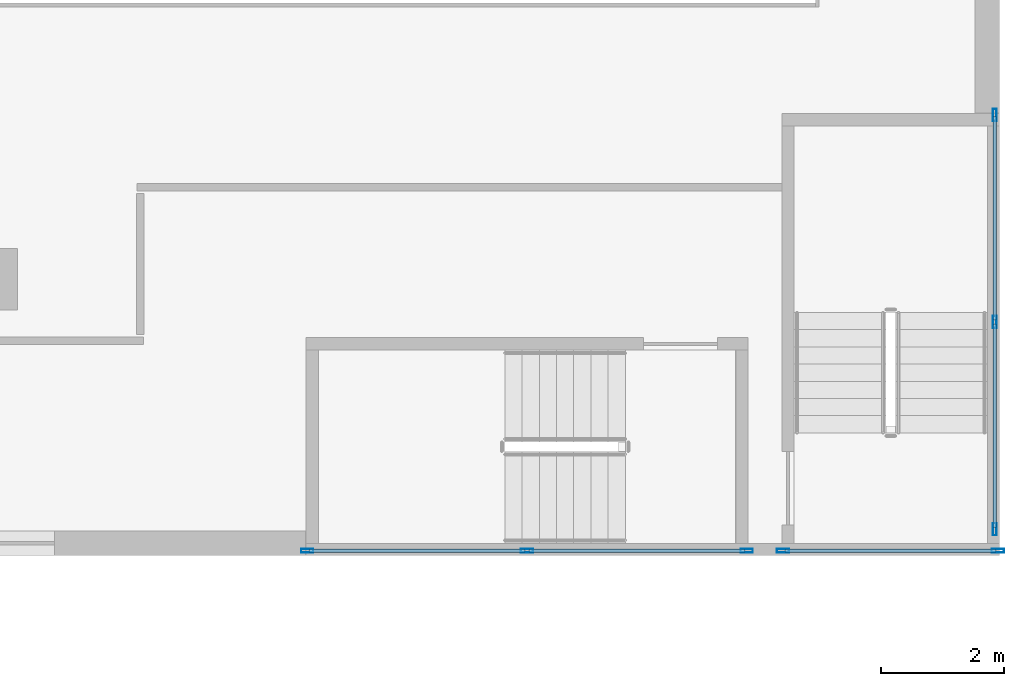
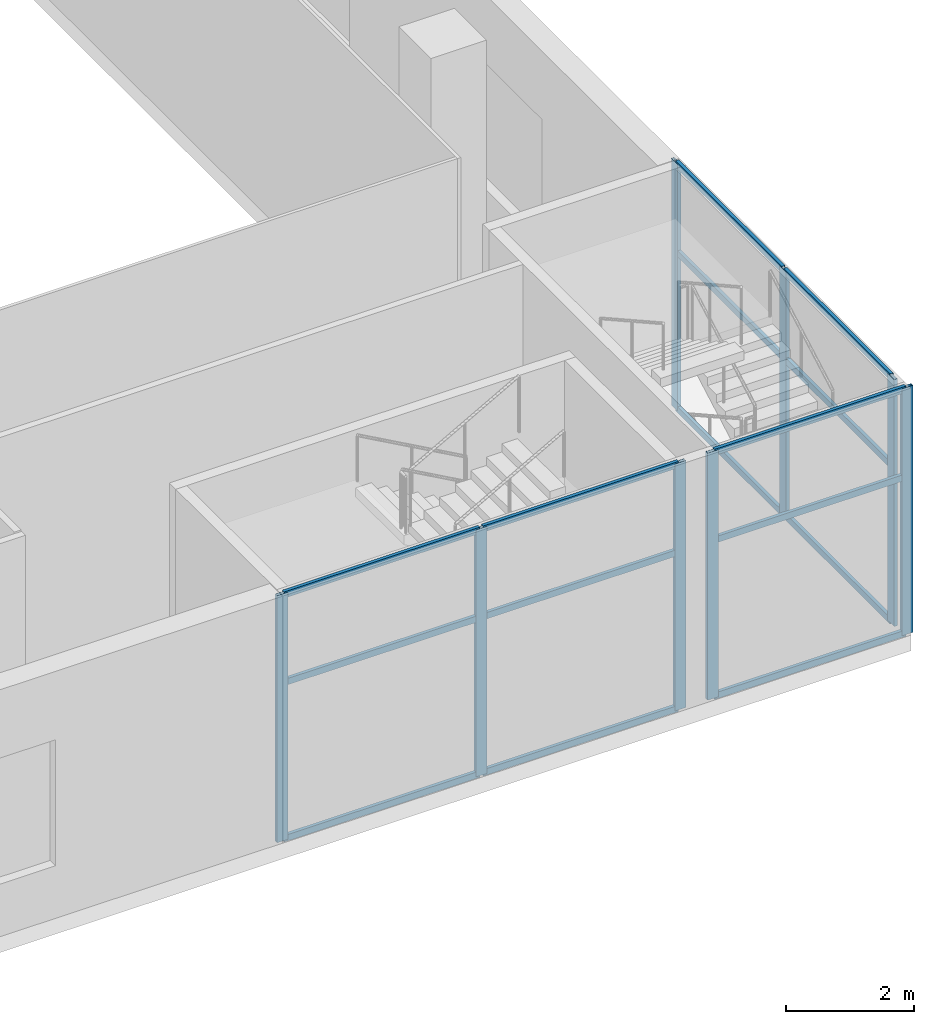
# One storey, part 6 of 22: 23 members, 3 elements without a shape of their own.
"""IFC4 building model written with IfcOpenShell, lengths in metres."""

from ifc_helpers import new_model, si_unit, direction, frame, origin, origin_2d, place, context, subcontext, project, spatial, hollow_rectangle, extrude, source, transform, mapped, material, material_profile, profile_set, type_object, element, aggregate, save


model = new_model("IFC4")

# Units and contexts
model_context = context("Model", 3, precision=1e-05, world=origin(), true_north=direction((0.0, 1.0)))
body_context = subcontext(model_context, "Body", "Model", "MODEL_VIEW")
ifc_project = project(units=[si_unit("LENGTHUNIT", "METRE"), si_unit("AREAUNIT", "SQUARE_METRE"), si_unit("VOLUMEUNIT", "CUBIC_METRE"), si_unit("PLANEANGLEUNIT", "RADIAN"), si_unit("MASSUNIT", "GRAM", prefix="KILO")], contexts=[model_context])

# Site, building, storey
site_placement = place(None, origin())
site = spatial("IfcSite", under=ifc_project, at=site_placement, CompositionType="ELEMENT")
building_placement = place(site_placement, origin())
building = spatial("IfcBuilding", under=site, at=building_placement, Name="Khomas Fold Tower", CompositionType="ELEMENT")
storey_placement = place(building_placement, frame((0.0, 0.0, 23.5)))
storey = spatial("IfcBuildingStorey", under=building, at=storey_placement, Name="L04", CompositionType="ELEMENT", Elevation=23.5)

# Curtain wall, members
ifc_material_1 = material(Name="Aluminium framed double glazing", Category="aluminium")
curtain_wall_type = type_object("IfcCurtainWallType", Name="Shopfront glazing PD-CW", PredefinedType="NOTDEFINED", material=ifc_material_1)
curtain_wall_1_placement = place(storey_placement, origin())
curtain_wall_1 = element("IfcCurtainWall", 1, at=curtain_wall_1_placement, inside=storey, type_object=curtain_wall_type, Name="Podium stair-tower glazing", PredefinedType="NOTDEFINED")
ifc_material_2 = material(Name="Aluminium", Category="aluminium")
ifc_material_profile_1 = material_profile(ifc_material_2, hollow_rectangle(XDim=0.06005859375, YDim=0.1201171875, WallThickness=0.00390625, at=origin_2d()), Name="Shopfront glazing transom PD-CW-T")
ifc_profile_set_1 = profile_set([ifc_material_profile_1], Name="Aluminium")
member_type_1 = type_object("IfcMemberType", Name="Shopfront glazing transom PD-CW-T", PredefinedType="USERDEFINED", material=ifc_profile_set_1)
shared_shape_1 = source(origin(), body_context, "Body", "SweptSolid", [
    extrude(hollow_rectangle(XDim=0.06005859375, YDim=0.1201171875, WallThickness=0.00390625, at=origin_2d()), origin(), (0.0, 0.0, 1.0), 3.52001953125),
])
member_1_placement = place(storey_placement, frame((69.75, 0.080078125, 0.030029296875), z_axis=(1.0, 0.0, 0.0), x_axis=(0.0, 1.0, 0.0)))
member_1 = element("IfcMember", 2, at=member_1_placement, type_object=member_type_1, Name="PD-CW transom 1.1", ObjectType="TRANSOM", PredefinedType="USERDEFINED", context=body_context, shape_type="MappedRepresentation", body=[
    mapped(shared_shape_1, transform((0.0, 0.0, 0.0))),
])
member_2_placement = place(storey_placement, frame((69.75, 0.080078125, 3.0), z_axis=(1.0, 0.0, 0.0), x_axis=(0.0, 1.0, 0.0)))
member_2 = element("IfcMember", 3, at=member_2_placement, type_object=member_type_1, Name="PD-CW transom 1.2", ObjectType="TRANSOM", PredefinedType="USERDEFINED", context=body_context, shape_type="MappedRepresentation", body=[
    mapped(shared_shape_1, transform((0.0, 0.0, 0.0))),
])
member_3_placement = place(storey_placement, frame((69.75, 0.080078125, 4.669921875), z_axis=(1.0, 0.0, 0.0), x_axis=(0.0, 1.0, 0.0)))
member_3 = element("IfcMember", 4, at=member_3_placement, type_object=member_type_1, Name="PD-CW transom 1.3", ObjectType="TRANSOM", PredefinedType="USERDEFINED", context=body_context, shape_type="MappedRepresentation", body=[
    mapped(shared_shape_1, transform((0.0, 0.0, 0.0))),
])
member_4_placement = place(storey_placement, frame((73.330078125, 0.080078125, 0.030029296875), z_axis=(1.0, 0.0, 0.0), x_axis=(0.0, 1.0, 0.0)))
member_4 = element("IfcMember", 5, at=member_4_placement, type_object=member_type_1, Name="PD-CW transom 2.1", ObjectType="TRANSOM", PredefinedType="USERDEFINED", context=body_context, shape_type="MappedRepresentation", body=[
    mapped(shared_shape_1, transform((0.0, 0.0, 0.0))),
])
member_5_placement = place(storey_placement, frame((73.330078125, 0.080078125, 3.0), z_axis=(1.0, 0.0, 0.0), x_axis=(0.0, 1.0, 0.0)))
member_5 = element("IfcMember", 6, at=member_5_placement, type_object=member_type_1, Name="PD-CW transom 2.2", ObjectType="TRANSOM", PredefinedType="USERDEFINED", context=body_context, shape_type="MappedRepresentation", body=[
    mapped(shared_shape_1, transform((0.0, 0.0, 0.0))),
])
member_6_placement = place(storey_placement, frame((73.330078125, 0.080078125, 4.669921875), z_axis=(1.0, 0.0, 0.0), x_axis=(0.0, 1.0, 0.0)))
member_6 = element("IfcMember", 7, at=member_6_placement, type_object=member_type_1, Name="PD-CW transom 2.3", ObjectType="TRANSOM", PredefinedType="USERDEFINED", context=body_context, shape_type="MappedRepresentation", body=[
    mapped(shared_shape_1, transform((0.0, 0.0, 0.0))),
])

curtain_wall_2_placement = place(storey_placement, origin())
curtain_wall_2 = element("IfcCurtainWall", 8, at=curtain_wall_2_placement, inside=storey, type_object=curtain_wall_type, Name="Podium stair-tower glazing", PredefinedType="NOTDEFINED")
shared_shape_2 = source(origin(), body_context, "Body", "SweptSolid", [
    extrude(hollow_rectangle(XDim=0.06005859375, YDim=0.1201171875, WallThickness=0.00390625, at=origin_2d()), origin(), (0.0, 0.0, 1.0), 3.43994140625),
])
member_7_placement = place(storey_placement, frame((77.5, 0.080078125, 0.030029296875), z_axis=(1.0, 0.0, 0.0), x_axis=(0.0, 1.0, 0.0)))
member_7 = element("IfcMember", 9, at=member_7_placement, type_object=member_type_1, Name="PD-CW transom 1.1", ObjectType="TRANSOM", PredefinedType="USERDEFINED", context=body_context, shape_type="MappedRepresentation", body=[
    mapped(shared_shape_2, transform((0.0, 0.0, 0.0))),
])
member_8_placement = place(storey_placement, frame((77.5, 0.080078125, 3.0), z_axis=(1.0, 0.0, 0.0), x_axis=(0.0, 1.0, 0.0)))
member_8 = element("IfcMember", 10, at=member_8_placement, type_object=member_type_1, Name="PD-CW transom 1.2", ObjectType="TRANSOM", PredefinedType="USERDEFINED", context=body_context, shape_type="MappedRepresentation", body=[
    mapped(shared_shape_2, transform((0.0, 0.0, 0.0))),
])
member_9_placement = place(storey_placement, frame((77.5, 0.080078125, 4.669921875), z_axis=(1.0, 0.0, 0.0), x_axis=(0.0, 1.0, 0.0)))
member_9 = element("IfcMember", 11, at=member_9_placement, type_object=member_type_1, Name="PD-CW transom 1.3", ObjectType="TRANSOM", PredefinedType="USERDEFINED", context=body_context, shape_type="MappedRepresentation", body=[
    mapped(shared_shape_2, transform((0.0, 0.0, 0.0))),
])

curtain_wall_3_placement = place(storey_placement, origin())
curtain_wall_3 = element("IfcCurtainWall", 12, at=curtain_wall_3_placement, inside=storey, type_object=curtain_wall_type, Name="Podium stair-tower glazing", PredefinedType="NOTDEFINED")
shared_shape_3 = source(origin(), body_context, "Body", "SweptSolid", [
    extrude(hollow_rectangle(XDim=0.06005859375, YDim=0.1201171875, WallThickness=0.00390625, at=origin_2d()), origin(), (0.0, 0.0, 1.0), 3.31494140625),
])
member_10_placement = place(storey_placement, frame((80.919921875, 0.4599609375, 0.030029296875), z_axis=(0.0, 1.0, 0.0), x_axis=(-1.0, 0.0, 0.0)))
member_10 = element("IfcMember", 13, at=member_10_placement, type_object=member_type_1, Name="PD-CW transom 1.1", ObjectType="TRANSOM", PredefinedType="USERDEFINED", context=body_context, shape_type="MappedRepresentation", body=[
    mapped(shared_shape_3, transform((0.0, 0.0, 0.0))),
])
member_11_placement = place(storey_placement, frame((80.919921875, 0.4599609375, 3.0), z_axis=(0.0, 1.0, 0.0), x_axis=(-1.0, 0.0, 0.0)))
member_11 = element("IfcMember", 14, at=member_11_placement, type_object=member_type_1, Name="PD-CW transom 1.2", ObjectType="TRANSOM", PredefinedType="USERDEFINED", context=body_context, shape_type="MappedRepresentation", body=[
    mapped(shared_shape_3, transform((0.0, 0.0, 0.0))),
])
member_12_placement = place(storey_placement, frame((80.919921875, 0.4599609375, 4.669921875), z_axis=(0.0, 1.0, 0.0), x_axis=(-1.0, 0.0, 0.0)))
member_12 = element("IfcMember", 15, at=member_12_placement, type_object=member_type_1, Name="PD-CW transom 1.3", ObjectType="TRANSOM", PredefinedType="USERDEFINED", context=body_context, shape_type="MappedRepresentation", body=[
    mapped(shared_shape_3, transform((0.0, 0.0, 0.0))),
])
member_13_placement = place(storey_placement, frame((80.919921875, 3.8349609375, 0.030029296875), z_axis=(0.0, 1.0, 0.0), x_axis=(-1.0, 0.0, 0.0)))
member_13 = element("IfcMember", 16, at=member_13_placement, type_object=member_type_1, Name="PD-CW transom 2.1", ObjectType="TRANSOM", PredefinedType="USERDEFINED", context=body_context, shape_type="MappedRepresentation", body=[
    mapped(shared_shape_3, transform((0.0, 0.0, 0.0))),
])
member_14_placement = place(storey_placement, frame((80.919921875, 3.8349609375, 3.0), z_axis=(0.0, 1.0, 0.0), x_axis=(-1.0, 0.0, 0.0)))
member_14 = element("IfcMember", 17, at=member_14_placement, type_object=member_type_1, Name="PD-CW transom 2.2", ObjectType="TRANSOM", PredefinedType="USERDEFINED", context=body_context, shape_type="MappedRepresentation", body=[
    mapped(shared_shape_3, transform((0.0, 0.0, 0.0))),
])
member_15_placement = place(storey_placement, frame((80.919921875, 3.8349609375, 4.669921875), z_axis=(0.0, 1.0, 0.0), x_axis=(-1.0, 0.0, 0.0)))
member_15 = element("IfcMember", 18, at=member_15_placement, type_object=member_type_1, Name="PD-CW transom 2.3", ObjectType="TRANSOM", PredefinedType="USERDEFINED", context=body_context, shape_type="MappedRepresentation", body=[
    mapped(shared_shape_3, transform((0.0, 0.0, 0.0))),
])

# Member
ifc_material_3 = material(Name="Aluminium", Category="aluminium")
ifc_material_profile_2 = material_profile(ifc_material_3, hollow_rectangle(XDim=0.06005859375, YDim=0.199951171875, WallThickness=0.00390625, at=origin_2d()), Name="Shopfront glazing mullion PD-CW-M")
ifc_profile_set_2 = profile_set([ifc_material_profile_2], Name="Aluminium")
member_type_2 = type_object("IfcMemberType", Name="Shopfront glazing mullion PD-CW-M", PredefinedType="MULLION", material=ifc_profile_set_2)
shared_shape_4 = source(origin(), body_context, "Body", "SweptSolid", [
    extrude(hollow_rectangle(XDim=0.06005859375, YDim=0.199951171875, WallThickness=0.00390625, at=origin_2d()), origin(), (0.0, 0.0, 1.0), 4.699951171875),
])
member_16_placement = place(storey_placement, frame((69.719970703125, 0.080078125, 0.0), z_axis=(0.0, 0.0, 1.0), x_axis=(0.0, 1.0, 0.0)))
member_16 = element("IfcMember", 19, at=member_16_placement, type_object=member_type_2, Name="PD-CW mullion 1", PredefinedType="MULLION", context=body_context, shape_type="MappedRepresentation", body=[
    mapped(shared_shape_4, transform((0.0, 0.0, 0.0))),
])

member_17_placement = place(storey_placement, frame((73.300048828125, 0.080078125, 0.0), z_axis=(0.0, 0.0, 1.0), x_axis=(0.0, 1.0, 0.0)))
member_17 = element("IfcMember", 20, at=member_17_placement, type_object=member_type_2, Name="PD-CW mullion 2", PredefinedType="MULLION", context=body_context, shape_type="MappedRepresentation", body=[
    mapped(shared_shape_4, transform((0.0, 0.0, 0.0))),
])

member_18_placement = place(storey_placement, frame((76.8798828125, 0.080078125, 0.0), z_axis=(0.0, 0.0, 1.0), x_axis=(0.0, 1.0, 0.0)))
member_18 = element("IfcMember", 21, at=member_18_placement, type_object=member_type_2, Name="PD-CW mullion 3", PredefinedType="MULLION", context=body_context, shape_type="MappedRepresentation", body=[
    mapped(shared_shape_4, transform((0.0, 0.0, 0.0))),
])

aggregate(curtain_wall_1, [member_16, member_17, member_18, member_1, member_2, member_3, member_4, member_5, member_6])

member_19_placement = place(storey_placement, frame((77.469970703125, 0.080078125, 0.0), z_axis=(0.0, 0.0, 1.0), x_axis=(0.0, 1.0, 0.0)))
member_19 = element("IfcMember", 22, at=member_19_placement, type_object=member_type_2, Name="PD-CW mullion 1", PredefinedType="MULLION", context=body_context, shape_type="MappedRepresentation", body=[
    mapped(shared_shape_4, transform((0.0, 0.0, 0.0))),
])

member_20_placement = place(storey_placement, frame((80.969970703125, 0.080078125, 0.0), z_axis=(0.0, 0.0, 1.0), x_axis=(0.0, 1.0, 0.0)))
member_20 = element("IfcMember", 23, at=member_20_placement, type_object=member_type_2, Name="PD-CW mullion 2", PredefinedType="MULLION", context=body_context, shape_type="MappedRepresentation", body=[
    mapped(shared_shape_4, transform((0.0, 0.0, 0.0))),
])

aggregate(curtain_wall_2, [member_19, member_20, member_7, member_8, member_9])

member_21_placement = place(storey_placement, frame((80.919921875, 0.429931640625, 0.0), z_axis=(0.0, 0.0, 1.0), x_axis=(-1.0, 0.0, 0.0)))
member_21 = element("IfcMember", 24, at=member_21_placement, type_object=member_type_2, Name="PD-CW mullion 1", PredefinedType="MULLION", context=body_context, shape_type="MappedRepresentation", body=[
    mapped(shared_shape_4, transform((0.0, 0.0, 0.0))),
])

member_22_placement = place(storey_placement, frame((80.919921875, 3.804931640625, 0.0), z_axis=(0.0, 0.0, 1.0), x_axis=(-1.0, 0.0, 0.0)))
member_22 = element("IfcMember", 25, at=member_22_placement, type_object=member_type_2, Name="PD-CW mullion 2", PredefinedType="MULLION", context=body_context, shape_type="MappedRepresentation", body=[
    mapped(shared_shape_4, transform((0.0, 0.0, 0.0))),
])

member_23_placement = place(storey_placement, frame((80.919921875, 7.179931640625, 0.0), z_axis=(0.0, 0.0, 1.0), x_axis=(-1.0, 0.0, 0.0)))
member_23 = element("IfcMember", 26, at=member_23_placement, type_object=member_type_2, Name="PD-CW mullion 3", PredefinedType="MULLION", context=body_context, shape_type="MappedRepresentation", body=[
    mapped(shared_shape_4, transform((0.0, 0.0, 0.0))),
])

aggregate(curtain_wall_3, [member_21, member_22, member_23, member_10, member_11, member_12, member_13, member_14, member_15])

save(model, "model.ifc")
